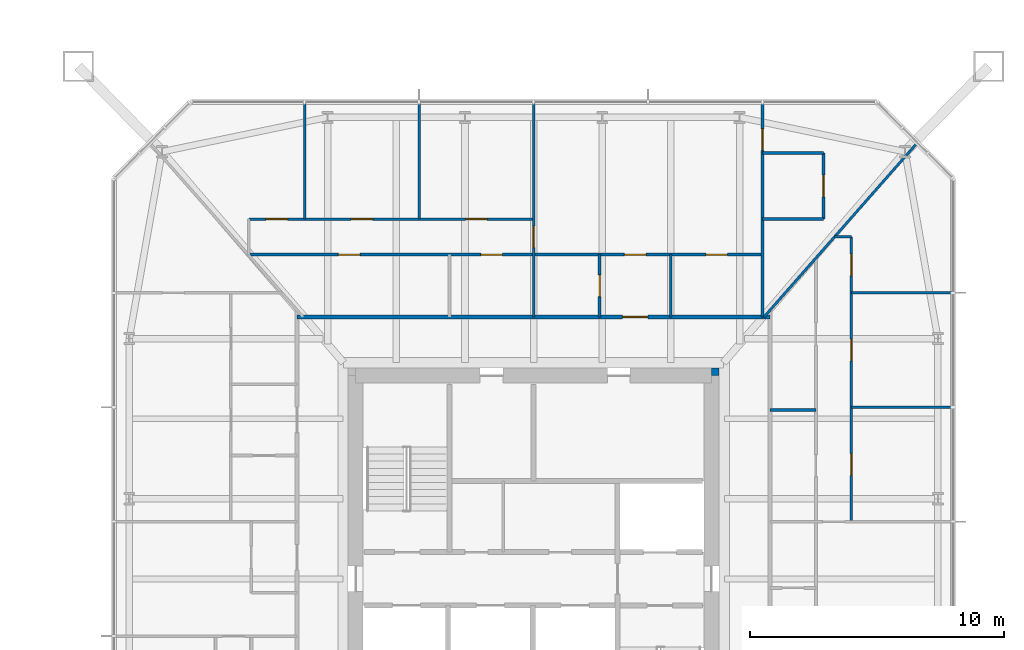
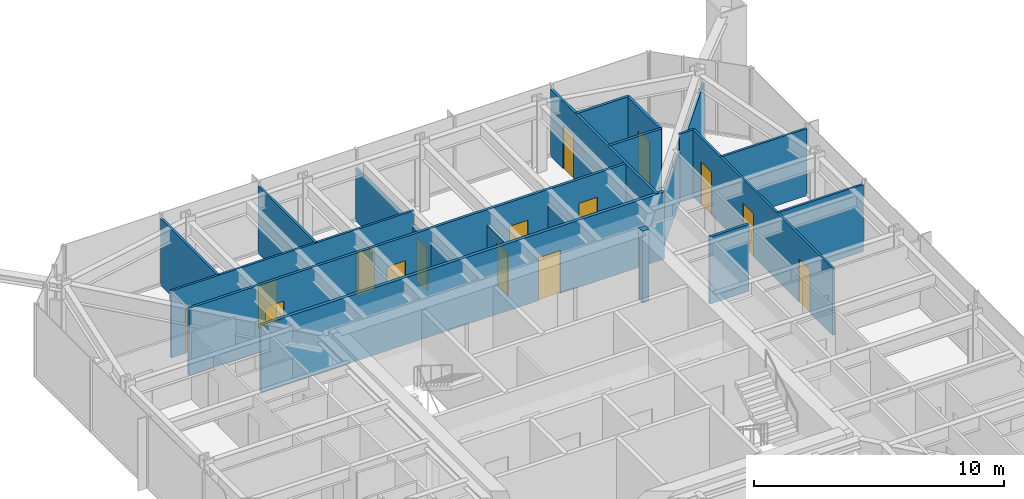
# One storey, part 21 of 26: 19 walls, 15 doors, 15 openings.
"""IFC4 building model written with IfcOpenShell, lengths in metres."""

from ifc_helpers import new_model, si_unit, direction, frame, frame_2d, origin, place, context, subcontext, project, spatial, rectangle, extrude, material, layer, layer_set, type_object, element, fill, save


model = new_model("IFC4")

# Units and contexts
model_context = context("Model", 3, precision=1e-05, world=origin(), true_north=direction((0.0, 1.0)))
body_context = subcontext(model_context, "Body", "Model", "MODEL_VIEW")
ifc_project = project(units=[si_unit("LENGTHUNIT", "METRE"), si_unit("AREAUNIT", "SQUARE_METRE"), si_unit("VOLUMEUNIT", "CUBIC_METRE"), si_unit("PLANEANGLEUNIT", "RADIAN"), si_unit("MASSUNIT", "GRAM", prefix="KILO")], contexts=[model_context])

# Site, building, storey
site_placement = place(None, origin())
site = spatial("IfcSite", under=ifc_project, at=site_placement, CompositionType="ELEMENT")
building_placement = place(site_placement, origin())
building = spatial("IfcBuilding", under=site, at=building_placement, Name="Iwan Alto Co-Living Towers", CompositionType="ELEMENT")
storey_placement = place(building_placement, frame((0.0, 0.0, 57.0)))
storey = spatial("IfcBuildingStorey", under=building, at=storey_placement, Name="L15", CompositionType="ELEMENT", Elevation=57.0)

# Wall, opening, door
ifc_material_1 = material(Name="Gypsum board")
ifc_layer_1 = layer(ifc_material_1, 0.02490234375, Name="Board", Category="Finish")
ifc_material_2 = material(Name="Steel ASTM A1003 ST33H cold-formed studs", Category="steel")
ifc_layer_2 = layer(ifc_material_2, 0.10009765625, Name="Studs", Category="Framing")
ifc_layer_3 = layer(ifc_material_1, 0.02490234375, Name="Board", Category="Finish")
ifc_layer_set_1 = layer_set([ifc_layer_1, ifc_layer_2, ifc_layer_3], Name="CORRIDOR WALL 150")
wall_type_1 = type_object("IfcWallType", Name="CORRIDOR WALL 150", PredefinedType="PARTITIONING", material=ifc_layer_set_1)
wall_1_placement = place(storey_placement, frame((53.699951171875, 10.300048828125, 0.0), z_axis=(0.0, 0.0, 1.0), x_axis=(1.0, 0.0, 0.0)))
wall_1 = element("IfcWall", 1, at=wall_1_placement, inside=storey, type_object=wall_type_1, Name="Partition L15", PredefinedType="PARTITIONING", context=body_context, shape_type="SweptSolid", body=[
    extrude(rectangle(XDim=18.60009765625, YDim=0.14990234375, at=frame_2d((9.300048828125, 0.0))), origin(), (0.0, 0.0, 1.0), 3.27001953125),
])
opening_1_placement = place(wall_1_placement, frame((12.800048828125, 0.0, 0.0)))
opening_1 = element("IfcOpeningElement", 2, at=opening_1_placement, cuts=wall_1, Name="Opening D3", PredefinedType="OPENING", context=body_context, shape_type="SweptSolid", body=[
    extrude(rectangle(XDim=1.0, YDim=2.10009765625, at=frame_2d((0.5, 1.050048828125))), frame((0.0, 0.0849609375, 0.0), z_axis=(0.0, -1.0, 0.0), x_axis=(1.0, 0.0, 0.0)), (0.0, 0.0, 1.0), 0.169921875),
])
ifc_material_3 = material(Name="Steel frame with timber leaf", Category="steel")
door_type_1 = type_object("IfcDoorType", Name="FLAT ENTRANCE DOOR FD30S 1000X2100", OperationType="SINGLE_SWING_LEFT", PredefinedType="DOOR", material=ifc_material_3)
door_1_placement = place(opening_1_placement, origin())
door_1 = element("IfcDoor", 3, at=door_1_placement, inside=storey, type_object=door_type_1, Name="Apartment foyer door L15", OperationType="SINGLE_SWING_LEFT", OverallHeight=2.10009765625, OverallWidth=1.0, PredefinedType="DOOR", context=body_context, shape_type="SweptSolid", body=[
    extrude(rectangle(XDim=1.0, YDim=2.10009765625, at=frame_2d((0.5, 1.050048828125))), frame((0.0, 0.02490234375, 0.0), z_axis=(0.0, -1.0, 0.0), x_axis=(1.0, 0.0, 0.0)), (0.0, 0.0, 1.0), 0.050048828125),
])
fill(opening_1, door_1)

# Walls
ifc_layer_4 = layer(ifc_material_1, 0.012451171875, Name="Board", Category="Finish")
ifc_layer_5 = layer(ifc_material_2, 0.074951171875, Name="Studs", Category="Framing")
ifc_layer_6 = layer(ifc_material_1, 0.012451171875, Name="Board", Category="Finish")
ifc_layer_set_2 = layer_set([ifc_layer_4, ifc_layer_5, ifc_layer_6], Name="PARTITION 100")
wall_type_2 = type_object("IfcWallType", Name="PARTITION 100", PredefinedType="PARTITIONING", material=ifc_layer_set_2)
for number, where, z_axis, x_axis, name in (
    (4, (75.5, 6.75, 0.0), (0.0, 0.0, 1.0), (1.0, 0.0, 0.0), "Partition L15"),
    (5, (75.5, 11.25, 0.0), (0.0, 0.0, 1.0), (1.0, 0.0, 0.0), "Partition L15"),
):
    element("IfcWall", number, at=place(storey_placement, frame(where, z_axis=z_axis, x_axis=x_axis)), inside=storey, type_object=wall_type_2, Name=name, PredefinedType="PARTITIONING", context=body_context, shape_type="SweptSolid", body=[
        extrude(rectangle(XDim=3.93994140625, YDim=0.10009765625, at=frame_2d((1.969970703125, 0.0))), origin(), (0.0, 0.0, 1.0), 3.27001953125),
    ])
wall_2_placement = place(storey_placement, frame((74.8359375, 13.449951171875, 0.0), z_axis=(0.0, 0.0, 1.0), x_axis=(1.0, 0.0, 0.0)))
element("IfcWall", 6, at=wall_2_placement, inside=storey, type_object=wall_type_2, Name="Partition L15", PredefinedType="PARTITIONING", context=body_context, shape_type="SweptSolid", body=[
    extrude(rectangle(XDim=0.6640625, YDim=0.10009765625, at=frame_2d((0.33203125, 0.0))), origin(), (0.0, 0.0, 1.0), 3.27001953125),
])

# Wall, openings, doors
wall_3_placement = place(storey_placement, frame((51.800048828125, 14.14990234375, 0.0), z_axis=(0.0, 0.0, 1.0), x_axis=(1.0, 0.0, 0.0)))
wall_3 = element("IfcWall", 7, at=wall_3_placement, inside=storey, type_object=wall_type_2, Name="Partition L15", PredefinedType="PARTITIONING", context=body_context, shape_type="SweptSolid", body=[
    extrude(rectangle(XDim=11.199951171875, YDim=0.10009765625, at=frame_2d((5.60009765625, 0.0))), origin(), (0.0, 0.0, 1.0), 3.27001953125),
])
opening_2_placement = place(wall_3_placement, frame((8.52490234375, 0.0, 0.0)))
opening_2 = element("IfcOpeningElement", 8, at=opening_2_placement, cuts=wall_3, Name="Opening D2", PredefinedType="OPENING", context=body_context, shape_type="SweptSolid", body=[
    extrude(rectangle(XDim=0.85009765625, YDim=2.10009765625, at=frame_2d((0.425048828125, 1.050048828125))), frame((0.0, 0.06005859375, 0.0), z_axis=(0.0, -1.0, 0.0), x_axis=(1.0, 0.0, 0.0)), (0.0, 0.0, 1.0), 0.1201171875),
])
opening_3_placement = place(wall_3_placement, frame((4.02490234375, 0.0, 0.0)))
opening_3 = element("IfcOpeningElement", 9, at=opening_3_placement, cuts=wall_3, Name="Opening D2", PredefinedType="OPENING", context=body_context, shape_type="SweptSolid", body=[
    extrude(rectangle(XDim=0.85009765625, YDim=2.10009765625, at=frame_2d((0.425048828125, 1.050048828125))), frame((0.0, 0.06005859375, 0.0), z_axis=(0.0, -1.0, 0.0), x_axis=(1.0, 0.0, 0.0)), (0.0, 0.0, 1.0), 0.1201171875),
])
opening_4_placement = place(wall_3_placement, frame((0.675048828125, 0.0, 0.0)))
opening_4 = element("IfcOpeningElement", 10, at=opening_4_placement, cuts=wall_3, Name="Opening D2", PredefinedType="OPENING", context=body_context, shape_type="SweptSolid", body=[
    extrude(rectangle(XDim=0.85009765625, YDim=2.10009765625, at=frame_2d((0.425048828125, 1.050048828125))), frame((0.0, 0.06005859375, 0.0), z_axis=(0.0, -1.0, 0.0), x_axis=(1.0, 0.0, 0.0)), (0.0, 0.0, 1.0), 0.1201171875),
])
ifc_material_4 = material(Name="Timber leaf in steel frame", Category="steel")
door_type_2 = type_object("IfcDoorType", Name="ROOM DOOR 850X2100", OperationType="SINGLE_SWING_LEFT", PredefinedType="DOOR", material=ifc_material_4)
door_2_placement = place(opening_2_placement, origin())
door_2 = element("IfcDoor", 11, at=door_2_placement, inside=storey, type_object=door_type_2, Name="Study door L15", OperationType="SINGLE_SWING_LEFT", OverallHeight=2.10009765625, OverallWidth=0.85009765625, PredefinedType="DOOR", context=body_context, shape_type="SweptSolid", body=[
    extrude(rectangle(XDim=0.85009765625, YDim=2.10009765625, at=frame_2d((0.425048828125, 1.050048828125))), frame((0.0, 0.02490234375, 0.0), z_axis=(0.0, -1.0, 0.0), x_axis=(1.0, 0.0, 0.0)), (0.0, 0.0, 1.0), 0.050048828125),
])
fill(opening_2, door_2)
door_3_placement = place(opening_3_placement, origin())
door_3 = element("IfcDoor", 12, at=door_3_placement, inside=storey, type_object=door_type_2, Name="Bedroom door L15", OperationType="SINGLE_SWING_LEFT", OverallHeight=2.10009765625, OverallWidth=0.85009765625, PredefinedType="DOOR", context=body_context, shape_type="SweptSolid", body=[
    extrude(rectangle(XDim=0.85009765625, YDim=2.10009765625, at=frame_2d((0.425048828125, 1.050048828125))), frame((0.0, 0.02490234375, 0.0), z_axis=(0.0, -1.0, 0.0), x_axis=(1.0, 0.0, 0.0)), (0.0, 0.0, 1.0), 0.050048828125),
])
fill(opening_3, door_3)
door_4_placement = place(opening_4_placement, origin())
door_4 = element("IfcDoor", 13, at=door_4_placement, inside=storey, type_object=door_type_2, Name="Bedroom door L15", OperationType="SINGLE_SWING_RIGHT", OverallHeight=2.10009765625, OverallWidth=0.85009765625, PredefinedType="DOOR", context=body_context, shape_type="SweptSolid", body=[
    extrude(rectangle(XDim=0.85009765625, YDim=2.10009765625, at=frame_2d((0.425048828125, 1.050048828125))), frame((0.0, 0.02490234375, 0.0), z_axis=(0.0, -1.0, 0.0), x_axis=(1.0, 0.0, 0.0)), (0.0, 0.0, 1.0), 0.050048828125),
])
fill(opening_4, door_4)

# Wall
wall_4_placement = place(storey_placement, frame((72.06396484375, 10.300048828125, 0.0), z_axis=(0.0, 0.0, 1.0), x_axis=(0.660700699661, 0.750649442461, 0.0)))
element("IfcWall", 14, at=wall_4_placement, inside=storey, type_object=wall_type_2, Name="Partition L15", PredefinedType="PARTITIONING", context=body_context, shape_type="SweptSolid", body=[
    extrude(rectangle(XDim=9.07080078125, YDim=0.10009765625, at=frame_2d((4.535400390625, 0.0))), origin(), (0.0, 0.0, 1.0), 2.42919921875),
])

# Wall, openings, doors
wall_5_placement = place(storey_placement, frame((75.5, 2.25, 0.0), z_axis=(0.0, 0.0, 1.0), x_axis=(0.0, 1.0, 0.0)))
wall_5 = element("IfcWall", 15, at=wall_5_placement, inside=storey, type_object=wall_type_2, Name="Partition L15", PredefinedType="PARTITIONING", context=body_context, shape_type="SweptSolid", body=[
    extrude(rectangle(XDim=11.199951171875, YDim=0.10009765625, at=frame_2d((5.60009765625, 0.0))), origin(), (0.0, 0.0, 1.0), 3.27001953125),
])
opening_5_placement = place(wall_5_placement, frame((1.824951171875, 0.0, 0.0)))
opening_5 = element("IfcOpeningElement", 16, at=opening_5_placement, cuts=wall_5, Name="Opening D2", PredefinedType="OPENING", context=body_context, shape_type="SweptSolid", body=[
    extrude(rectangle(XDim=0.85009765625, YDim=2.10009765625, at=frame_2d((0.425048828125, 1.050048828125))), frame((0.0, 0.06005859375, 0.0), z_axis=(0.0, -1.0, 0.0), x_axis=(1.0, 0.0, 0.0)), (0.0, 0.0, 1.0), 0.1201171875),
])
opening_6_placement = place(wall_5_placement, frame((6.324951171875, 0.0, 0.0)))
opening_6 = element("IfcOpeningElement", 17, at=opening_6_placement, cuts=wall_5, Name="Opening D2", PredefinedType="OPENING", context=body_context, shape_type="SweptSolid", body=[
    extrude(rectangle(XDim=0.85009765625, YDim=2.10009765625, at=frame_2d((0.425048828125, 1.050048828125))), frame((0.0, 0.06005859375, 0.0), z_axis=(0.0, -1.0, 0.0), x_axis=(1.0, 0.0, 0.0)), (0.0, 0.0, 1.0), 0.1201171875),
])
opening_7_placement = place(wall_5_placement, frame((9.675048828125, 0.0, 0.0)))
opening_7 = element("IfcOpeningElement", 18, at=opening_7_placement, cuts=wall_5, Name="Opening D2", PredefinedType="OPENING", context=body_context, shape_type="SweptSolid", body=[
    extrude(rectangle(XDim=0.85009765625, YDim=2.10009765625, at=frame_2d((0.425048828125, 1.050048828125))), frame((0.0, 0.06005859375, 0.0), z_axis=(0.0, -1.0, 0.0), x_axis=(1.0, 0.0, 0.0)), (0.0, 0.0, 1.0), 0.1201171875),
])
door_5_placement = place(opening_5_placement, frame((0.85009765625, 0.0, 0.0), z_axis=(0.0, 0.0, 1.0), x_axis=(-1.0, 0.0, 0.0)))
door_5 = element("IfcDoor", 19, at=door_5_placement, inside=storey, type_object=door_type_2, Name="Family room door L15", OperationType="SINGLE_SWING_RIGHT", OverallHeight=2.10009765625, OverallWidth=0.85009765625, PredefinedType="DOOR", context=body_context, shape_type="SweptSolid", body=[
    extrude(rectangle(XDim=0.85009765625, YDim=2.10009765625, at=frame_2d((0.425048828125, 1.050048828125))), frame((0.0, 0.02490234375, 0.0), z_axis=(0.0, -1.0, 0.0), x_axis=(1.0, 0.0, 0.0)), (0.0, 0.0, 1.0), 0.050048828125),
])
fill(opening_5, door_5)
door_6_placement = place(opening_6_placement, frame((0.85009765625, 0.0, 0.0), z_axis=(0.0, 0.0, 1.0), x_axis=(-1.0, 0.0, 0.0)))
door_6 = element("IfcDoor", 20, at=door_6_placement, inside=storey, type_object=door_type_2, Name="Bedroom door L15", OperationType="SINGLE_SWING_RIGHT", OverallHeight=2.10009765625, OverallWidth=0.85009765625, PredefinedType="DOOR", context=body_context, shape_type="SweptSolid", body=[
    extrude(rectangle(XDim=0.85009765625, YDim=2.10009765625, at=frame_2d((0.425048828125, 1.050048828125))), frame((0.0, 0.02490234375, 0.0), z_axis=(0.0, -1.0, 0.0), x_axis=(1.0, 0.0, 0.0)), (0.0, 0.0, 1.0), 0.050048828125),
])
fill(opening_6, door_6)
door_7_placement = place(opening_7_placement, frame((0.85009765625, 0.0, 0.0), z_axis=(0.0, 0.0, 1.0), x_axis=(-1.0, 0.0, 0.0)))
door_7 = element("IfcDoor", 21, at=door_7_placement, inside=storey, type_object=door_type_2, Name="Study door L15", OperationType="SINGLE_SWING_RIGHT", OverallHeight=2.10009765625, OverallWidth=0.85009765625, PredefinedType="DOOR", context=body_context, shape_type="SweptSolid", body=[
    extrude(rectangle(XDim=0.85009765625, YDim=2.10009765625, at=frame_2d((0.425048828125, 1.050048828125))), frame((0.0, 0.02490234375, 0.0), z_axis=(0.0, -1.0, 0.0), x_axis=(1.0, 0.0, 0.0)), (0.0, 0.0, 1.0), 0.050048828125),
])
fill(opening_7, door_7)

# Wall
wall_6_placement = place(storey_placement, frame((68.39990234375, 10.300048828125, 0.0), z_axis=(0.0, 0.0, 1.0), x_axis=(0.0, 1.0, 0.0)))
element("IfcWall", 22, at=wall_6_placement, inside=storey, type_object=wall_type_2, Name="Partition L15", PredefinedType="PARTITIONING", context=body_context, shape_type="SweptSolid", body=[
    extrude(rectangle(XDim=2.449951171875, YDim=0.10009765625, at=frame_2d((1.22509765625, 0.0))), origin(), (0.0, 0.0, 1.0), 2.586669921875),
])

# Wall, opening, door
wall_7_placement = place(storey_placement, frame((63.0, 10.300048828125, 0.0), z_axis=(0.0, 0.0, 1.0), x_axis=(0.0, 1.0, 0.0)))
wall_7 = element("IfcWall", 23, at=wall_7_placement, inside=storey, type_object=wall_type_2, Name="Partition L15", PredefinedType="PARTITIONING", context=body_context, shape_type="SweptSolid", body=[
    extrude(rectangle(XDim=8.389892578125, YDim=0.10009765625, at=frame_2d((4.19482421875, 0.0))), origin(), (0.0, 0.0, 1.0), 2.586669921875),
])
opening_8_placement = place(wall_7_placement, frame((2.72509765625, 0.0, 0.0)))
opening_8 = element("IfcOpeningElement", 24, at=opening_8_placement, cuts=wall_7, Name="Opening D2", PredefinedType="OPENING", context=body_context, shape_type="SweptSolid", body=[
    extrude(rectangle(XDim=0.85009765625, YDim=2.10009765625, at=frame_2d((0.425048828125, 1.050048828125))), frame((0.0, 0.06005859375, 0.0), z_axis=(0.0, -1.0, 0.0), x_axis=(1.0, 0.0, 0.0)), (0.0, 0.0, 1.0), 0.1201171875),
])
door_8_placement = place(opening_8_placement, frame((0.85009765625, 0.0, 0.0), z_axis=(0.0, 0.0, 1.0), x_axis=(-1.0, 0.0, 0.0)))
door_8 = element("IfcDoor", 25, at=door_8_placement, inside=storey, type_object=door_type_2, Name="Apartment hall door L15", OperationType="SINGLE_SWING_RIGHT", OverallHeight=2.10009765625, OverallWidth=0.85009765625, PredefinedType="DOOR", context=body_context, shape_type="SweptSolid", body=[
    extrude(rectangle(XDim=0.85009765625, YDim=2.10009765625, at=frame_2d((0.425048828125, 1.050048828125))), frame((0.0, 0.02490234375, 0.0), z_axis=(0.0, -1.0, 0.0), x_axis=(1.0, 0.0, 0.0)), (0.0, 0.0, 1.0), 0.050048828125),
])
fill(opening_8, door_8)

# Walls
for number, where, z_axis, x_axis, name in (
    (26, (58.5, 14.14990234375, 0.0), (0.0, 0.0, 1.0), (0.0, 1.0, 0.0), "Partition L15"),
    (27, (54.0, 14.14990234375, 0.0), (0.0, 0.0, 1.0), (0.0, 1.0, 0.0), "Partition L15"),
):
    element("IfcWall", number, at=place(storey_placement, frame(where, z_axis=z_axis, x_axis=x_axis)), inside=storey, type_object=wall_type_2, Name=name, PredefinedType="PARTITIONING", context=body_context, shape_type="SweptSolid", body=[
        extrude(rectangle(XDim=4.5400390625, YDim=0.10009765625, at=frame_2d((2.27001953125, 0.0))), origin(), (0.0, 0.0, 1.0), 3.27001953125),
    ])
ifc_material_5 = material(Name="Concrete f'c 70 MPa", Category="concrete")
ifc_layer_7 = layer(ifc_material_5, 0.300048828125)
ifc_layer_set_3 = layer_set([ifc_layer_7], Name="T2 CORE CORNER FILL 300")
wall_type_3 = type_object("IfcWallType", Name="T2 CORE CORNER FILL 300", PredefinedType="SOLIDWALL", material=ifc_layer_set_3)
wall_8_placement = place(storey_placement, frame((70.0, 8.14990234375, 0.0), z_axis=(0.0, 0.0, 1.0), x_axis=(1.0, 0.0, 0.0)))
element("IfcWall", 28, at=wall_8_placement, inside=storey, type_object=wall_type_3, Name="T2 core corner NE L15", PredefinedType="SOLIDWALL", context=body_context, shape_type="SweptSolid", body=[
    extrude(rectangle(XDim=0.300048828125, YDim=0.300048828125, at=frame_2d((0.14990234375, 0.0))), origin(), (0.0, 0.0, 1.0), 3.5),
])
ifc_material_6 = material(Name="Cement board")
ifc_layer_8 = layer(ifc_material_6, 0.012451171875, Name="Board", Category="Finish")
ifc_layer_9 = layer(ifc_material_2, 0.094970703125, Name="Studs", Category="Framing")
ifc_layer_10 = layer(ifc_material_6, 0.012451171875, Name="Board", Category="Finish")
ifc_layer_set_4 = layer_set([ifc_layer_8, ifc_layer_9, ifc_layer_10], Name="WET AREA PARTITION 120")
wall_type_4 = type_object("IfcWallType", Name="WET AREA PARTITION 120", PredefinedType="PARTITIONING", material=ifc_layer_set_4)
wall_9_placement = place(storey_placement, frame((72.300048828125, 6.64990234375, 0.0), z_axis=(0.0, 0.0, 1.0), x_axis=(1.0, 0.0, 0.0)))
element("IfcWall", 29, at=wall_9_placement, inside=storey, type_object=wall_type_4, Name="Partition L15", PredefinedType="PARTITIONING", context=body_context, shape_type="SweptSolid", body=[
    extrude(rectangle(XDim=1.800048828125, YDim=0.1201171875, at=frame_2d((0.89990234375, 0.0))), origin(), (0.0, 0.0, 1.0), 3.27001953125),
])

# Wall, openings, doors
wall_10_placement = place(storey_placement, frame((51.800048828125, 12.75, 0.0), z_axis=(0.0, 0.0, 1.0), x_axis=(1.0, 0.0, 0.0)))
wall_10 = element("IfcWall", 30, at=wall_10_placement, inside=storey, type_object=wall_type_4, Name="Partition L15", PredefinedType="PARTITIONING", context=body_context, shape_type="SweptSolid", body=[
    extrude(rectangle(XDim=20.199951171875, YDim=0.1201171875, at=frame_2d((10.10009765625, 0.0))), origin(), (0.0, 0.0, 1.0), 3.27001953125),
])
opening_9_placement = place(wall_10_placement, frame((17.97509765625, 0.0, 0.0)))
opening_9 = element("IfcOpeningElement", 31, at=opening_9_placement, cuts=wall_10, Name="Opening D2", PredefinedType="OPENING", context=body_context, shape_type="SweptSolid", body=[
    extrude(rectangle(XDim=0.85009765625, YDim=2.10009765625, at=frame_2d((0.425048828125, 1.050048828125))), frame((0.0, 0.070068359375, 0.0), z_axis=(0.0, -1.0, 0.0), x_axis=(1.0, 0.0, 0.0)), (0.0, 0.0, 1.0), 0.14013671875),
])
opening_10_placement = place(wall_10_placement, frame((14.77490234375, 0.0, 0.0)))
opening_10 = element("IfcOpeningElement", 32, at=opening_10_placement, cuts=wall_10, Name="Opening D2", PredefinedType="OPENING", context=body_context, shape_type="SweptSolid", body=[
    extrude(rectangle(XDim=0.85009765625, YDim=2.10009765625, at=frame_2d((0.425048828125, 1.050048828125))), frame((0.0, 0.070068359375, 0.0), z_axis=(0.0, -1.0, 0.0), x_axis=(1.0, 0.0, 0.0)), (0.0, 0.0, 1.0), 0.14013671875),
])
opening_11_placement = place(wall_10_placement, frame((9.125, 0.0, 0.0)))
opening_11 = element("IfcOpeningElement", 33, at=opening_11_placement, cuts=wall_10, Name="Opening D2", PredefinedType="OPENING", context=body_context, shape_type="SweptSolid", body=[
    extrude(rectangle(XDim=0.85009765625, YDim=2.10009765625, at=frame_2d((0.425048828125, 1.050048828125))), frame((0.0, 0.070068359375, 0.0), z_axis=(0.0, -1.0, 0.0), x_axis=(1.0, 0.0, 0.0)), (0.0, 0.0, 1.0), 0.14013671875),
])
opening_12_placement = place(wall_10_placement, frame((3.52490234375, 0.0, 0.0)))
opening_12 = element("IfcOpeningElement", 34, at=opening_12_placement, cuts=wall_10, Name="Opening D2", PredefinedType="OPENING", context=body_context, shape_type="SweptSolid", body=[
    extrude(rectangle(XDim=0.85009765625, YDim=2.10009765625, at=frame_2d((0.425048828125, 1.050048828125))), frame((0.0, 0.070068359375, 0.0), z_axis=(0.0, -1.0, 0.0), x_axis=(1.0, 0.0, 0.0)), (0.0, 0.0, 1.0), 0.14013671875),
])
door_9_placement = place(opening_9_placement, origin())
door_9 = element("IfcDoor", 35, at=door_9_placement, inside=storey, type_object=door_type_2, Name="Kitchen door L15", OperationType="SINGLE_SWING_RIGHT", OverallHeight=2.10009765625, OverallWidth=0.85009765625, PredefinedType="DOOR", context=body_context, shape_type="SweptSolid", body=[
    extrude(rectangle(XDim=0.85009765625, YDim=2.10009765625, at=frame_2d((0.425048828125, 1.050048828125))), frame((0.0, 0.02490234375, 0.0), z_axis=(0.0, -1.0, 0.0), x_axis=(1.0, 0.0, 0.0)), (0.0, 0.0, 1.0), 0.050048828125),
])
fill(opening_9, door_9)
door_10_placement = place(opening_10_placement, origin())
door_10 = element("IfcDoor", 36, at=door_10_placement, inside=storey, type_object=door_type_2, Name="Apartment foyer door L15", OperationType="SINGLE_SWING_LEFT", OverallHeight=2.10009765625, OverallWidth=0.85009765625, PredefinedType="DOOR", context=body_context, shape_type="SweptSolid", body=[
    extrude(rectangle(XDim=0.85009765625, YDim=2.10009765625, at=frame_2d((0.425048828125, 1.050048828125))), frame((0.0, 0.02490234375, 0.0), z_axis=(0.0, -1.0, 0.0), x_axis=(1.0, 0.0, 0.0)), (0.0, 0.0, 1.0), 0.050048828125),
])
fill(opening_10, door_10)
door_11_placement = place(opening_11_placement, frame((0.85009765625, 0.0, 0.0), z_axis=(0.0, 0.0, 1.0), x_axis=(-1.0, 0.0, 0.0)))
door_11 = element("IfcDoor", 37, at=door_11_placement, inside=storey, type_object=door_type_2, Name="Utility room door L15", OperationType="SINGLE_SWING_RIGHT", OverallHeight=2.10009765625, OverallWidth=0.85009765625, PredefinedType="DOOR", context=body_context, shape_type="SweptSolid", body=[
    extrude(rectangle(XDim=0.85009765625, YDim=2.10009765625, at=frame_2d((0.425048828125, 1.050048828125))), frame((0.0, 0.02490234375, 0.0), z_axis=(0.0, -1.0, 0.0), x_axis=(1.0, 0.0, 0.0)), (0.0, 0.0, 1.0), 0.050048828125),
])
fill(opening_11, door_11)
door_12_placement = place(opening_12_placement, frame((0.85009765625, 0.0, 0.0), z_axis=(0.0, 0.0, 1.0), x_axis=(-1.0, 0.0, 0.0)))
door_12 = element("IfcDoor", 38, at=door_12_placement, inside=storey, type_object=door_type_2, Name="Store room door L15", OperationType="SINGLE_SWING_RIGHT", OverallHeight=2.10009765625, OverallWidth=0.85009765625, PredefinedType="DOOR", context=body_context, shape_type="SweptSolid", body=[
    extrude(rectangle(XDim=0.85009765625, YDim=2.10009765625, at=frame_2d((0.425048828125, 1.050048828125))), frame((0.0, 0.02490234375, 0.0), z_axis=(0.0, -1.0, 0.0), x_axis=(1.0, 0.0, 0.0)), (0.0, 0.0, 1.0), 0.050048828125),
])
fill(opening_12, door_12)

# Walls
for number, where, z_axis, x_axis, name in (
    (39, (72.0, 14.14990234375, 0.0), (0.0, 0.0, 1.0), (1.0, 0.0, 0.0), "Partition L15"),
    (40, (72.0, 16.75, 0.0), (0.0, 0.0, 1.0), (1.0, 0.0, 0.0), "Partition L15"),
):
    element("IfcWall", number, at=place(storey_placement, frame(where, z_axis=z_axis, x_axis=x_axis)), inside=storey, type_object=wall_type_4, Name=name, PredefinedType="PARTITIONING", context=body_context, shape_type="SweptSolid", body=[
        extrude(rectangle(XDim=2.39990234375, YDim=0.1201171875, at=frame_2d((1.199951171875, 0.0))), origin(), (0.0, 0.0, 1.0), 3.27001953125),
    ])

# Wall, opening, door
wall_11_placement = place(storey_placement, frame((74.39990234375, 14.14990234375, 0.0), z_axis=(0.0, 0.0, 1.0), x_axis=(0.0, 1.0, 0.0)))
wall_11 = element("IfcWall", 41, at=wall_11_placement, inside=storey, type_object=wall_type_4, Name="Partition L15", PredefinedType="PARTITIONING", context=body_context, shape_type="SweptSolid", body=[
    extrude(rectangle(XDim=2.60009765625, YDim=0.1201171875, at=frame_2d((1.300048828125, 0.0))), origin(), (0.0, 0.0, 1.0), 3.27001953125),
])
opening_13_placement = place(wall_11_placement, frame((0.875, 0.0, 0.0)))
opening_13 = element("IfcOpeningElement", 42, at=opening_13_placement, cuts=wall_11, Name="Opening D2", PredefinedType="OPENING", context=body_context, shape_type="SweptSolid", body=[
    extrude(rectangle(XDim=0.85009765625, YDim=2.10009765625, at=frame_2d((0.425048828125, 1.050048828125))), frame((0.0, 0.070068359375, 0.0), z_axis=(0.0, -1.0, 0.0), x_axis=(1.0, 0.0, 0.0)), (0.0, 0.0, 1.0), 0.14013671875),
])
door_13_placement = place(opening_13_placement, frame((0.85009765625, 0.0, 0.0), z_axis=(0.0, 0.0, 1.0), x_axis=(-1.0, 0.0, 0.0)))
door_13 = element("IfcDoor", 43, at=door_13_placement, inside=storey, type_object=door_type_2, Name="En-suite shower room door L15", OperationType="SINGLE_SWING_RIGHT", OverallHeight=2.10009765625, OverallWidth=0.85009765625, PredefinedType="DOOR", context=body_context, shape_type="SweptSolid", body=[
    extrude(rectangle(XDim=0.85009765625, YDim=2.10009765625, at=frame_2d((0.425048828125, 1.050048828125))), frame((0.0, 0.02490234375, 0.0), z_axis=(0.0, -1.0, 0.0), x_axis=(1.0, 0.0, 0.0)), (0.0, 0.0, 1.0), 0.050048828125),
])
fill(opening_13, door_13)

wall_12_placement = place(storey_placement, frame((72.0, 10.300048828125, 0.0), z_axis=(0.0, 0.0, 1.0), x_axis=(0.0, 1.0, 0.0)))
wall_12 = element("IfcWall", 44, at=wall_12_placement, inside=storey, type_object=wall_type_4, Name="Partition L15", PredefinedType="PARTITIONING", context=body_context, shape_type="SweptSolid", body=[
    extrude(rectangle(XDim=8.389892578125, YDim=0.1201171875, at=frame_2d((4.19482421875, 0.0))), origin(), (0.0, 0.0, 1.0), 3.27001953125),
])
opening_14_placement = place(wall_12_placement, frame((6.550048828125, 0.0, 0.0)))
opening_14 = element("IfcOpeningElement", 45, at=opening_14_placement, cuts=wall_12, Name="Opening D2", PredefinedType="OPENING", context=body_context, shape_type="SweptSolid", body=[
    extrude(rectangle(XDim=0.85009765625, YDim=2.10009765625, at=frame_2d((0.425048828125, 1.050048828125))), frame((0.0, 0.070068359375, 0.0), z_axis=(0.0, -1.0, 0.0), x_axis=(1.0, 0.0, 0.0)), (0.0, 0.0, 1.0), 0.14013671875),
])
door_14_placement = place(opening_14_placement, origin())
door_14 = element("IfcDoor", 46, at=door_14_placement, inside=storey, type_object=door_type_2, Name="Bedroom door L15", OperationType="SINGLE_SWING_RIGHT", OverallHeight=2.10009765625, OverallWidth=0.85009765625, PredefinedType="DOOR", context=body_context, shape_type="SweptSolid", body=[
    extrude(rectangle(XDim=0.85009765625, YDim=2.10009765625, at=frame_2d((0.425048828125, 1.050048828125))), frame((0.0, 0.02490234375, 0.0), z_axis=(0.0, -1.0, 0.0), x_axis=(1.0, 0.0, 0.0)), (0.0, 0.0, 1.0), 0.050048828125),
])
fill(opening_14, door_14)

wall_13_placement = place(storey_placement, frame((65.60009765625, 10.300048828125, 0.0), z_axis=(0.0, 0.0, 1.0), x_axis=(0.0, 1.0, 0.0)))
wall_13 = element("IfcWall", 47, at=wall_13_placement, inside=storey, type_object=wall_type_4, Name="Partition L15", PredefinedType="PARTITIONING", context=body_context, shape_type="SweptSolid", body=[
    extrude(rectangle(XDim=2.449951171875, YDim=0.1201171875, at=frame_2d((1.22509765625, 0.0))), origin(), (0.0, 0.0, 1.0), 2.508056640625),
])
opening_15_placement = place(wall_13_placement, frame((0.800048828125, 0.0, 0.0)))
opening_15 = element("IfcOpeningElement", 48, at=opening_15_placement, cuts=wall_13, Name="Opening D2", PredefinedType="OPENING", context=body_context, shape_type="SweptSolid", body=[
    extrude(rectangle(XDim=0.85009765625, YDim=2.10009765625, at=frame_2d((0.425048828125, 1.050048828125))), frame((0.0, 0.070068359375, 0.0), z_axis=(0.0, -1.0, 0.0), x_axis=(1.0, 0.0, 0.0)), (0.0, 0.0, 1.0), 0.14013671875),
])
door_15_placement = place(opening_15_placement, origin())
door_15 = element("IfcDoor", 49, at=door_15_placement, inside=storey, type_object=door_type_2, Name="Bathroom door L15", OperationType="SINGLE_SWING_LEFT", OverallHeight=2.10009765625, OverallWidth=0.85009765625, PredefinedType="DOOR", context=body_context, shape_type="SweptSolid", body=[
    extrude(rectangle(XDim=0.85009765625, YDim=2.10009765625, at=frame_2d((0.425048828125, 1.050048828125))), frame((0.0, 0.02490234375, 0.0), z_axis=(0.0, -1.0, 0.0), x_axis=(1.0, 0.0, 0.0)), (0.0, 0.0, 1.0), 0.050048828125),
])
fill(opening_15, door_15)

save(model, "model.ifc")
